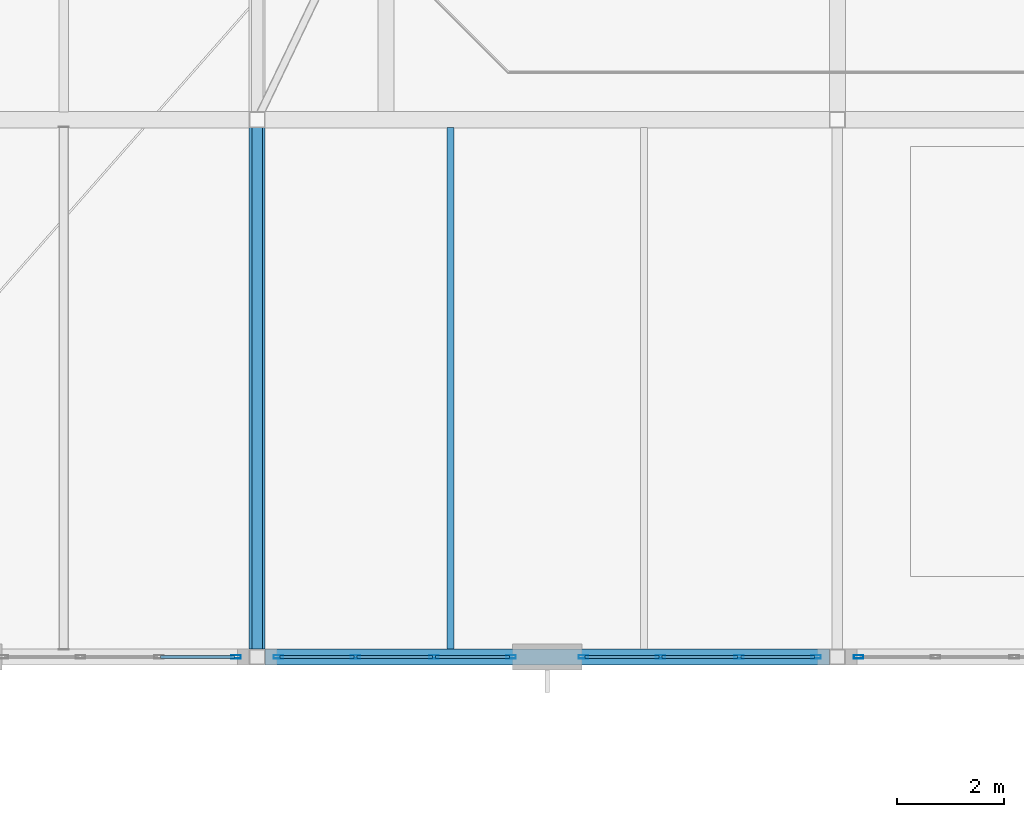
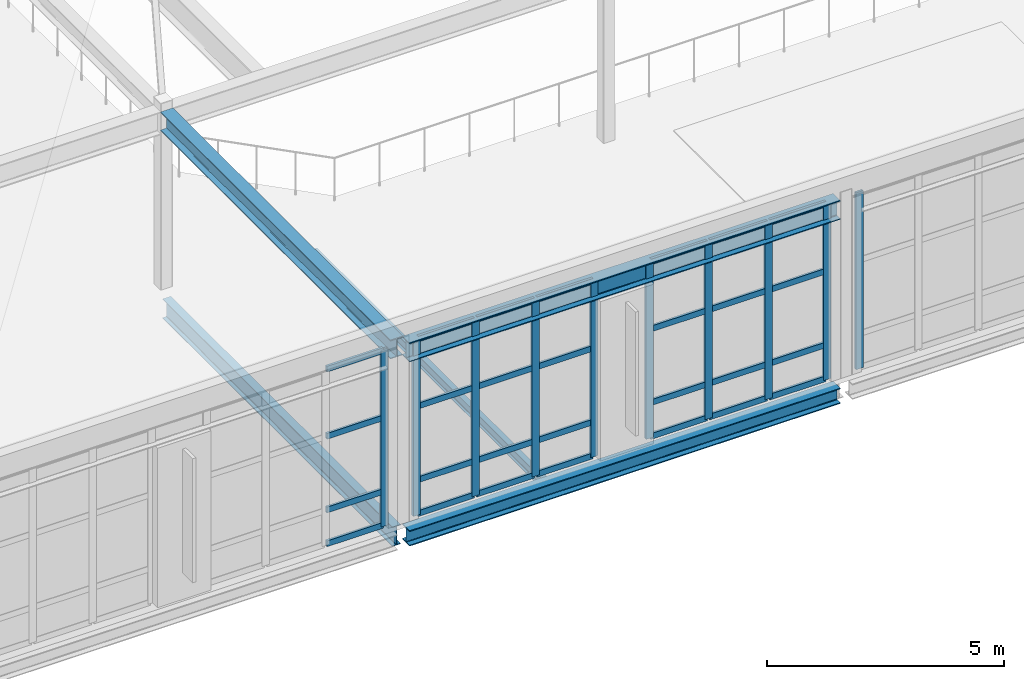
# One storey, part 24 of 86: 38 members, 5 beams, 4 elements without a shape of their own.
"""IFC4 building model written with IfcOpenShell, lengths in metres."""

from ifc_helpers import new_model, si_unit, direction, frame, origin, origin_2d, place, context, subcontext, project, spatial, hollow_rectangle, i_section, extrude, material, layer, layer_set, material_profile, profile_set, type_object, element, aggregate, save


model = new_model("IFC4")

# Units and contexts
model_context = context("Model", 3, precision=1e-05, world=origin(), true_north=direction((0.0, 1.0)))
body_context = subcontext(model_context, "Body", "Model", "MODEL_VIEW")
ifc_project = project(units=[si_unit("LENGTHUNIT", "METRE"), si_unit("AREAUNIT", "SQUARE_METRE"), si_unit("VOLUMEUNIT", "CUBIC_METRE"), si_unit("PLANEANGLEUNIT", "RADIAN"), si_unit("MASSUNIT", "GRAM", prefix="KILO")], contexts=[model_context])

# Site, building, storey
site_placement = place(None, origin())
site = spatial("IfcSite", under=ifc_project, at=site_placement, CompositionType="ELEMENT")
building_placement = place(site_placement, origin())
building = spatial("IfcBuilding", under=site, at=building_placement, Name="Tasgan Crest Museum", CompositionType="ELEMENT")
storey_placement = place(building_placement, frame((0.0, 0.0, 24.0)))
storey = spatial("IfcBuildingStorey", under=building, at=storey_placement, Name="L04", CompositionType="ELEMENT", Elevation=24.0)

# Beams
ifc_material_1 = material(Name="Steel S355J2", Category="steel")
ifc_material_profile_1 = material_profile(ifc_material_1, i_section(OverallWidth=0.300048828125, OverallDepth=0.489990234375, WebThickness=0.011962890625, FlangeThickness=0.02294921875, FilletRadius=0.027099609375, at=origin_2d()), Name="HEA 500")
ifc_profile_set_1 = profile_set([ifc_material_profile_1], Name="Steel S355J2")
beam_type_1 = type_object("IfcBeamType", Name="BM-G-HEA500", PredefinedType="BEAM", material=ifc_profile_set_1)
beam_1_placement = place(storey_placement, frame((64.946044921875, 40.0, 4.35498046875), z_axis=(1.0, 0.0, 0.0), x_axis=(0.0, 1.0, 0.0)))
element("IfcBeam", 1, at=beam_1_placement, inside=storey, type_object=beam_type_1, Name="Winter-garden roof girder E 64.8-75.6", PredefinedType="BEAM", context=body_context, shape_type="SweptSolid", body=[
    extrude(i_section(OverallWidth=0.300048828125, OverallDepth=0.489990234375, WebThickness=0.011962890625, FlangeThickness=0.02294921875, FilletRadius=0.027099609375, at=origin_2d()), origin(), (0.0, 0.0, 1.0), 10.508056640625),
])
beam_2_placement = place(storey_placement, frame((64.800048828125, 40.14599609375, 4.35498046875), z_axis=(0.0, 1.0, 0.0), x_axis=(-1.0, 0.0, 0.0)))
element("IfcBeam", 2, at=beam_2_placement, inside=storey, type_object=beam_type_1, Name="Winter-garden roof beam 7 40-50", PredefinedType="BEAM", context=body_context, shape_type="SweptSolid", body=[
    extrude(i_section(OverallWidth=0.300048828125, OverallDepth=0.489990234375, WebThickness=0.011962890625, FlangeThickness=0.02294921875, FilletRadius=0.027099609375, at=origin_2d()), origin(), (0.0, 0.0, 1.0), 9.7080078125),
])
ifc_material_2 = material(Name="Steel S355J2", Category="steel")
ifc_material_profile_2 = material_profile(ifc_material_2, i_section(OverallWidth=0.300048828125, OverallDepth=0.39990234375, WebThickness=0.013427734375, FlangeThickness=0.02392578125, FilletRadius=0.027099609375, at=origin_2d()), Name="HEB 400")
ifc_profile_set_2 = profile_set([ifc_material_profile_2], Name="Steel S355J2")
beam_type_2 = type_object("IfcBeamType", Name="BM-G-HEB400", PredefinedType="BEAM", material=ifc_profile_set_2)
beam_3_placement = place(storey_placement, frame((64.946044921875, 40.0, -0.43994140625), z_axis=(1.0, 0.0, 0.0), x_axis=(0.0, 1.0, 0.0)))
element("IfcBeam", 3, at=beam_3_placement, inside=storey, type_object=beam_type_2, Name="Girder L04 E 64.8-75.6", PredefinedType="BEAM", context=body_context, shape_type="SweptSolid", body=[
    extrude(i_section(OverallWidth=0.300048828125, OverallDepth=0.39990234375, WebThickness=0.013427734375, FlangeThickness=0.02392578125, FilletRadius=0.027099609375, at=origin_2d()), origin(), (0.0, 0.0, 1.0), 10.508056640625),
])
ifc_material_3 = material(Name="Steel S355J2", Category="steel")
ifc_material_profile_3 = material_profile(ifc_material_3, i_section(OverallWidth=0.199951171875, OverallDepth=0.5, WebThickness=0.01025390625, FlangeThickness=0.01611328125, FilletRadius=0.02099609375, at=origin_2d()), Name="IPE 500")
ifc_profile_set_3 = profile_set([ifc_material_profile_3], Name="Steel S355J2")
beam_type_3 = type_object("IfcBeamType", Name="BM-G-IPE500", PredefinedType="BEAM", material=ifc_profile_set_3)
beam_4_placement = place(storey_placement, frame((64.800048828125, 40.14501953125, -0.489990234375), z_axis=(0.0, 1.0, 0.0), x_axis=(-1.0, 0.0, 0.0)))
element("IfcBeam", 4, at=beam_4_placement, inside=storey, type_object=beam_type_3, Name="Beam L04 7 40.0-50.0", PredefinedType="BEAM", context=body_context, shape_type="SweptSolid", body=[
    extrude(i_section(OverallWidth=0.199951171875, OverallDepth=0.5, WebThickness=0.01025390625, FlangeThickness=0.01611328125, FilletRadius=0.02099609375, at=origin_2d()), origin(), (0.0, 0.0, 1.0), 9.7099609375),
])
ifc_material_4 = material(Name="Steel S355J2", Category="steel")
ifc_material_profile_4 = material_profile(ifc_material_4, i_section(OverallWidth=0.135009765625, OverallDepth=0.27001953125, WebThickness=0.006591796875, FlangeThickness=0.01025390625, FilletRadius=0.014892578125, at=origin_2d()), Name="IPE 270")
ifc_profile_set_4 = profile_set([ifc_material_profile_4], Name="Steel S355J2")
beam_type_4 = type_object("IfcBeamType", Name="BM-J-IPE270", PredefinedType="JOIST", material=ifc_profile_set_4)
beam_5_placement = place(storey_placement, frame((68.39990234375, 40.14501953125, -0.375), z_axis=(0.0, 1.0, 0.0), x_axis=(-1.0, 0.0, 0.0)))
element("IfcBeam", 5, at=beam_5_placement, inside=storey, type_object=beam_type_4, Name="Secondary joist L04 X=68.4 Y=40.0-50.0", PredefinedType="JOIST", context=body_context, shape_type="SweptSolid", body=[
    extrude(i_section(OverallWidth=0.135009765625, OverallDepth=0.27001953125, WebThickness=0.006591796875, FlangeThickness=0.01025390625, FilletRadius=0.014892578125, at=origin_2d()), origin(), (0.0, 0.0, 1.0), 9.7099609375),
])

# Curtain wall, member
ifc_material_5 = material(Name="Triple-Glazed Aluminium Curtain Wall", Category="aluminium")
ifc_layer = layer(ifc_material_5, 0.179931640625, Name="CW-DRUM-X-48")
ifc_layer_set = layer_set([ifc_layer], Name="Triple-Glazed Aluminium Curtain Wall")
curtain_wall_type = type_object("IfcCurtainWallType", Name="CW-DRUM-X-48", PredefinedType="NOTDEFINED", material=ifc_layer_set)
curtain_wall_1_placement = place(storey_placement, origin())
curtain_wall_1 = element("IfcCurtainWall", 6, at=curtain_wall_1_placement, inside=storey, type_object=curtain_wall_type, Name="Curtain wall L04 186", PredefinedType="NOTDEFINED")
ifc_material_6 = material(Name="Anodised Aluminium", Category="aluminium")
ifc_material_profile_5 = material_profile(ifc_material_6, hollow_rectangle(XDim=0.06494140625, YDim=0.179931640625, WallThickness=0.0048828125, at=origin_2d()), Name="ALU MULLION 180x65x5")
ifc_profile_set_5 = profile_set([ifc_material_profile_5], Name="Anodised Aluminium")
member_type_1 = type_object("IfcMemberType", Name="CW-MULLION-180", PredefinedType="MULLION", material=ifc_profile_set_5)
member_1_placement = place(storey_placement, frame((64.405029296875, 40.0, 0.0), z_axis=(0.0, 0.0, 1.0), x_axis=(0.0, 1.0, 0.0)))
member_1 = element("IfcMember", 7, at=member_1_placement, type_object=member_type_1, Name="CW03 mullion 4", PredefinedType="MULLION", context=body_context, shape_type="SweptSolid", body=[
    extrude(hollow_rectangle(XDim=0.06494140625, YDim=0.179931640625, WallThickness=0.0048828125, at=origin_2d()), origin(), (0.0, 0.0, 1.0), 4.56005859375),
])

# Curtain wall, members
curtain_wall_2_placement = place(storey_placement, origin())
curtain_wall_2 = element("IfcCurtainWall", 8, at=curtain_wall_2_placement, inside=storey, type_object=curtain_wall_type, Name="Curtain wall L04 187", PredefinedType="NOTDEFINED")
member_2_placement = place(storey_placement, frame((65.195068359375, 40.0, 0.0), z_axis=(0.0, 0.0, 1.0), x_axis=(0.0, 1.0, 0.0)))
member_2 = element("IfcMember", 9, at=member_2_placement, type_object=member_type_1, Name="CW03 mullion 1", PredefinedType="MULLION", context=body_context, shape_type="SweptSolid", body=[
    extrude(hollow_rectangle(XDim=0.06494140625, YDim=0.179931640625, WallThickness=0.0048828125, at=origin_2d()), origin(), (0.0, 0.0, 1.0), 4.56005859375),
])
member_3_placement = place(storey_placement, frame((66.62841796875, 40.0, 0.0), z_axis=(0.0, 0.0, 1.0), x_axis=(0.0, 1.0, 0.0)))
member_3 = element("IfcMember", 10, at=member_3_placement, type_object=member_type_1, Name="CW03 mullion 2", PredefinedType="MULLION", context=body_context, shape_type="SweptSolid", body=[
    extrude(hollow_rectangle(XDim=0.06494140625, YDim=0.179931640625, WallThickness=0.0048828125, at=origin_2d()), origin(), (0.0, 0.0, 1.0), 4.56005859375),
])
member_4_placement = place(storey_placement, frame((68.091552734375, 40.0, 0.0), z_axis=(0.0, 0.0, 1.0), x_axis=(0.0, 1.0, 0.0)))
member_4 = element("IfcMember", 11, at=member_4_placement, type_object=member_type_1, Name="CW03 mullion 3", PredefinedType="MULLION", context=body_context, shape_type="SweptSolid", body=[
    extrude(hollow_rectangle(XDim=0.06494140625, YDim=0.179931640625, WallThickness=0.0048828125, at=origin_2d()), origin(), (0.0, 0.0, 1.0), 4.56005859375),
])
member_5_placement = place(storey_placement, frame((69.52490234375, 40.0, 0.0), z_axis=(0.0, 0.0, 1.0), x_axis=(0.0, 1.0, 0.0)))
member_5 = element("IfcMember", 12, at=member_5_placement, type_object=member_type_1, Name="CW03 mullion 4", PredefinedType="MULLION", context=body_context, shape_type="SweptSolid", body=[
    extrude(hollow_rectangle(XDim=0.06494140625, YDim=0.179931640625, WallThickness=0.0048828125, at=origin_2d()), origin(), (0.0, 0.0, 1.0), 4.56005859375),
])

curtain_wall_3_placement = place(storey_placement, origin())
curtain_wall_3 = element("IfcCurtainWall", 13, at=curtain_wall_3_placement, inside=storey, type_object=curtain_wall_type, Name="Curtain wall L04 188", PredefinedType="NOTDEFINED")
member_6_placement = place(storey_placement, frame((70.875, 40.0, 0.0), z_axis=(0.0, 0.0, 1.0), x_axis=(0.0, 1.0, 0.0)))
member_6 = element("IfcMember", 14, at=member_6_placement, type_object=member_type_1, Name="CW03 mullion 1", PredefinedType="MULLION", context=body_context, shape_type="SweptSolid", body=[
    extrude(hollow_rectangle(XDim=0.06494140625, YDim=0.179931640625, WallThickness=0.0048828125, at=origin_2d()), origin(), (0.0, 0.0, 1.0), 4.56005859375),
])
member_7_placement = place(storey_placement, frame((72.308349609375, 40.0, 0.0), z_axis=(0.0, 0.0, 1.0), x_axis=(0.0, 1.0, 0.0)))
member_7 = element("IfcMember", 15, at=member_7_placement, type_object=member_type_1, Name="CW03 mullion 2", PredefinedType="MULLION", context=body_context, shape_type="SweptSolid", body=[
    extrude(hollow_rectangle(XDim=0.06494140625, YDim=0.179931640625, WallThickness=0.0048828125, at=origin_2d()), origin(), (0.0, 0.0, 1.0), 4.56005859375),
])
member_8_placement = place(storey_placement, frame((73.771728515625, 40.0, 0.0), z_axis=(0.0, 0.0, 1.0), x_axis=(0.0, 1.0, 0.0)))
member_8 = element("IfcMember", 16, at=member_8_placement, type_object=member_type_1, Name="CW03 mullion 3", PredefinedType="MULLION", context=body_context, shape_type="SweptSolid", body=[
    extrude(hollow_rectangle(XDim=0.06494140625, YDim=0.179931640625, WallThickness=0.0048828125, at=origin_2d()), origin(), (0.0, 0.0, 1.0), 4.56005859375),
])
member_9_placement = place(storey_placement, frame((75.205078125, 40.0, 0.0), z_axis=(0.0, 0.0, 1.0), x_axis=(0.0, 1.0, 0.0)))
member_9 = element("IfcMember", 17, at=member_9_placement, type_object=member_type_1, Name="CW03 mullion 4", PredefinedType="MULLION", context=body_context, shape_type="SweptSolid", body=[
    extrude(hollow_rectangle(XDim=0.06494140625, YDim=0.179931640625, WallThickness=0.0048828125, at=origin_2d()), origin(), (0.0, 0.0, 1.0), 4.56005859375),
])

# Curtain wall, member
curtain_wall_4_placement = place(storey_placement, origin())
curtain_wall_4 = element("IfcCurtainWall", 18, at=curtain_wall_4_placement, inside=storey, type_object=curtain_wall_type, Name="Curtain wall L04 189", PredefinedType="NOTDEFINED")
member_10_placement = place(storey_placement, frame((75.9951171875, 40.0, 0.0), z_axis=(0.0, 0.0, 1.0), x_axis=(0.0, 1.0, 0.0)))
member_10 = element("IfcMember", 19, at=member_10_placement, type_object=member_type_1, Name="CW03 mullion 1", PredefinedType="MULLION", context=body_context, shape_type="SweptSolid", body=[
    extrude(hollow_rectangle(XDim=0.06494140625, YDim=0.179931640625, WallThickness=0.0048828125, at=origin_2d()), origin(), (0.0, 0.0, 1.0), 4.56005859375),
])
aggregate(curtain_wall_4, [member_10])

# Member
ifc_material_7 = material(Name="Anodised Aluminium", Category="aluminium")
ifc_material_profile_6 = material_profile(ifc_material_7, hollow_rectangle(XDim=0.06005859375, YDim=0.14990234375, WallThickness=0.0048828125, at=origin_2d()), Name="ALU TRANSOM 150x60x5")
ifc_profile_set_6 = profile_set([ifc_material_profile_6], Name="Anodised Aluminium")
member_type_2 = type_object("IfcMemberType", Name="CW-TRANSOM-150", PredefinedType="USERDEFINED", material=ifc_profile_set_6)
member_11_placement = place(storey_placement, frame((63.001708984375, 40.0, 0.030029296875), z_axis=(1.0, 0.0, 0.0), x_axis=(0.0, 1.0, 0.0)))
member_11 = element("IfcMember", 20, at=member_11_placement, type_object=member_type_2, Name="CW03 transom 3.1", ObjectType="TRANSOM", PredefinedType="USERDEFINED", context=body_context, shape_type="SweptSolid", body=[
    extrude(hollow_rectangle(XDim=0.06005859375, YDim=0.14990234375, WallThickness=0.0048828125, at=origin_2d()), origin(), (0.0, 0.0, 1.0), 1.373291015625),
])

member_12_placement = place(storey_placement, frame((63.001708984375, 40.0, 0.89990234375), z_axis=(1.0, 0.0, 0.0), x_axis=(0.0, 1.0, 0.0)))
member_12 = element("IfcMember", 21, at=member_12_placement, type_object=member_type_2, Name="CW03 transom 3.2", ObjectType="TRANSOM", PredefinedType="USERDEFINED", context=body_context, shape_type="SweptSolid", body=[
    extrude(hollow_rectangle(XDim=0.06005859375, YDim=0.14990234375, WallThickness=0.0048828125, at=origin_2d()), origin(), (0.0, 0.0, 1.0), 1.373291015625),
])

member_13_placement = place(storey_placement, frame((63.001708984375, 40.0, 2.800048828125), z_axis=(1.0, 0.0, 0.0), x_axis=(0.0, 1.0, 0.0)))
member_13 = element("IfcMember", 22, at=member_13_placement, type_object=member_type_2, Name="CW03 transom 3.3", ObjectType="TRANSOM", PredefinedType="USERDEFINED", context=body_context, shape_type="SweptSolid", body=[
    extrude(hollow_rectangle(XDim=0.06005859375, YDim=0.14990234375, WallThickness=0.0048828125, at=origin_2d()), origin(), (0.0, 0.0, 1.0), 1.373291015625),
])

member_14_placement = place(storey_placement, frame((63.001708984375, 40.0, 4.530029296875), z_axis=(1.0, 0.0, 0.0), x_axis=(0.0, 1.0, 0.0)))
member_14 = element("IfcMember", 23, at=member_14_placement, type_object=member_type_2, Name="CW03 transom 3.4", ObjectType="TRANSOM", PredefinedType="USERDEFINED", context=body_context, shape_type="SweptSolid", body=[
    extrude(hollow_rectangle(XDim=0.06005859375, YDim=0.14990234375, WallThickness=0.0048828125, at=origin_2d()), origin(), (0.0, 0.0, 1.0), 1.373291015625),
])

aggregate(curtain_wall_1, [member_1, member_11, member_12, member_13, member_14])

member_15_placement = place(storey_placement, frame((65.22509765625, 40.0, 0.030029296875), z_axis=(1.0, 0.0, 0.0), x_axis=(0.0, 1.0, 0.0)))
member_15 = element("IfcMember", 24, at=member_15_placement, type_object=member_type_2, Name="CW03 transom 1.1", ObjectType="TRANSOM", PredefinedType="USERDEFINED", context=body_context, shape_type="SweptSolid", body=[
    extrude(hollow_rectangle(XDim=0.06005859375, YDim=0.14990234375, WallThickness=0.0048828125, at=origin_2d()), origin(), (0.0, 0.0, 1.0), 1.373291015625),
])

member_16_placement = place(storey_placement, frame((65.22509765625, 40.0, 0.89990234375), z_axis=(1.0, 0.0, 0.0), x_axis=(0.0, 1.0, 0.0)))
member_16 = element("IfcMember", 25, at=member_16_placement, type_object=member_type_2, Name="CW03 transom 1.2", ObjectType="TRANSOM", PredefinedType="USERDEFINED", context=body_context, shape_type="SweptSolid", body=[
    extrude(hollow_rectangle(XDim=0.06005859375, YDim=0.14990234375, WallThickness=0.0048828125, at=origin_2d()), origin(), (0.0, 0.0, 1.0), 1.373291015625),
])

member_17_placement = place(storey_placement, frame((65.22509765625, 40.0, 2.800048828125), z_axis=(1.0, 0.0, 0.0), x_axis=(0.0, 1.0, 0.0)))
member_17 = element("IfcMember", 26, at=member_17_placement, type_object=member_type_2, Name="CW03 transom 1.3", ObjectType="TRANSOM", PredefinedType="USERDEFINED", context=body_context, shape_type="SweptSolid", body=[
    extrude(hollow_rectangle(XDim=0.06005859375, YDim=0.14990234375, WallThickness=0.0048828125, at=origin_2d()), origin(), (0.0, 0.0, 1.0), 1.373291015625),
])

member_18_placement = place(storey_placement, frame((65.22509765625, 40.0, 4.530029296875), z_axis=(1.0, 0.0, 0.0), x_axis=(0.0, 1.0, 0.0)))
member_18 = element("IfcMember", 27, at=member_18_placement, type_object=member_type_2, Name="CW03 transom 1.4", ObjectType="TRANSOM", PredefinedType="USERDEFINED", context=body_context, shape_type="SweptSolid", body=[
    extrude(hollow_rectangle(XDim=0.06005859375, YDim=0.14990234375, WallThickness=0.0048828125, at=origin_2d()), origin(), (0.0, 0.0, 1.0), 1.373291015625),
])

member_19_placement = place(storey_placement, frame((66.658447265625, 40.0, 0.030029296875), z_axis=(1.0, 0.0, 0.0), x_axis=(0.0, 1.0, 0.0)))
member_19 = element("IfcMember", 28, at=member_19_placement, type_object=member_type_2, Name="CW03 transom 2.1", ObjectType="TRANSOM", PredefinedType="USERDEFINED", context=body_context, shape_type="SweptSolid", body=[
    extrude(hollow_rectangle(XDim=0.06005859375, YDim=0.14990234375, WallThickness=0.0048828125, at=origin_2d()), origin(), (0.0, 0.0, 1.0), 1.4033203125),
])

member_20_placement = place(storey_placement, frame((66.658447265625, 40.0, 0.89990234375), z_axis=(1.0, 0.0, 0.0), x_axis=(0.0, 1.0, 0.0)))
member_20 = element("IfcMember", 29, at=member_20_placement, type_object=member_type_2, Name="CW03 transom 2.2", ObjectType="TRANSOM", PredefinedType="USERDEFINED", context=body_context, shape_type="SweptSolid", body=[
    extrude(hollow_rectangle(XDim=0.06005859375, YDim=0.14990234375, WallThickness=0.0048828125, at=origin_2d()), origin(), (0.0, 0.0, 1.0), 1.4033203125),
])

member_21_placement = place(storey_placement, frame((66.658447265625, 40.0, 2.800048828125), z_axis=(1.0, 0.0, 0.0), x_axis=(0.0, 1.0, 0.0)))
member_21 = element("IfcMember", 30, at=member_21_placement, type_object=member_type_2, Name="CW03 transom 2.3", ObjectType="TRANSOM", PredefinedType="USERDEFINED", context=body_context, shape_type="SweptSolid", body=[
    extrude(hollow_rectangle(XDim=0.06005859375, YDim=0.14990234375, WallThickness=0.0048828125, at=origin_2d()), origin(), (0.0, 0.0, 1.0), 1.4033203125),
])

member_22_placement = place(storey_placement, frame((66.658447265625, 40.0, 4.530029296875), z_axis=(1.0, 0.0, 0.0), x_axis=(0.0, 1.0, 0.0)))
member_22 = element("IfcMember", 31, at=member_22_placement, type_object=member_type_2, Name="CW03 transom 2.4", ObjectType="TRANSOM", PredefinedType="USERDEFINED", context=body_context, shape_type="SweptSolid", body=[
    extrude(hollow_rectangle(XDim=0.06005859375, YDim=0.14990234375, WallThickness=0.0048828125, at=origin_2d()), origin(), (0.0, 0.0, 1.0), 1.4033203125),
])

member_23_placement = place(storey_placement, frame((68.12158203125, 40.0, 0.030029296875), z_axis=(1.0, 0.0, 0.0), x_axis=(0.0, 1.0, 0.0)))
member_23 = element("IfcMember", 32, at=member_23_placement, type_object=member_type_2, Name="CW03 transom 3.1", ObjectType="TRANSOM", PredefinedType="USERDEFINED", context=body_context, shape_type="SweptSolid", body=[
    extrude(hollow_rectangle(XDim=0.06005859375, YDim=0.14990234375, WallThickness=0.0048828125, at=origin_2d()), origin(), (0.0, 0.0, 1.0), 1.37353515625),
])

member_24_placement = place(storey_placement, frame((68.12158203125, 40.0, 0.89990234375), z_axis=(1.0, 0.0, 0.0), x_axis=(0.0, 1.0, 0.0)))
member_24 = element("IfcMember", 33, at=member_24_placement, type_object=member_type_2, Name="CW03 transom 3.2", ObjectType="TRANSOM", PredefinedType="USERDEFINED", context=body_context, shape_type="SweptSolid", body=[
    extrude(hollow_rectangle(XDim=0.06005859375, YDim=0.14990234375, WallThickness=0.0048828125, at=origin_2d()), origin(), (0.0, 0.0, 1.0), 1.37353515625),
])

member_25_placement = place(storey_placement, frame((68.12158203125, 40.0, 2.800048828125), z_axis=(1.0, 0.0, 0.0), x_axis=(0.0, 1.0, 0.0)))
member_25 = element("IfcMember", 34, at=member_25_placement, type_object=member_type_2, Name="CW03 transom 3.3", ObjectType="TRANSOM", PredefinedType="USERDEFINED", context=body_context, shape_type="SweptSolid", body=[
    extrude(hollow_rectangle(XDim=0.06005859375, YDim=0.14990234375, WallThickness=0.0048828125, at=origin_2d()), origin(), (0.0, 0.0, 1.0), 1.37353515625),
])

member_26_placement = place(storey_placement, frame((68.12158203125, 40.0, 4.530029296875), z_axis=(1.0, 0.0, 0.0), x_axis=(0.0, 1.0, 0.0)))
member_26 = element("IfcMember", 35, at=member_26_placement, type_object=member_type_2, Name="CW03 transom 3.4", ObjectType="TRANSOM", PredefinedType="USERDEFINED", context=body_context, shape_type="SweptSolid", body=[
    extrude(hollow_rectangle(XDim=0.06005859375, YDim=0.14990234375, WallThickness=0.0048828125, at=origin_2d()), origin(), (0.0, 0.0, 1.0), 1.37353515625),
])

aggregate(curtain_wall_2, [member_2, member_3, member_4, member_5, member_15, member_16, member_17, member_18, member_19, member_20, member_21, member_22, member_23, member_24, member_25, member_26])

member_27_placement = place(storey_placement, frame((70.905029296875, 40.0, 0.030029296875), z_axis=(1.0, 0.0, 0.0), x_axis=(0.0, 1.0, 0.0)))
member_27 = element("IfcMember", 36, at=member_27_placement, type_object=member_type_2, Name="CW03 transom 1.1", ObjectType="TRANSOM", PredefinedType="USERDEFINED", context=body_context, shape_type="SweptSolid", body=[
    extrude(hollow_rectangle(XDim=0.06005859375, YDim=0.14990234375, WallThickness=0.0048828125, at=origin_2d()), origin(), (0.0, 0.0, 1.0), 1.373291015625),
])

member_28_placement = place(storey_placement, frame((70.905029296875, 40.0, 0.89990234375), z_axis=(1.0, 0.0, 0.0), x_axis=(0.0, 1.0, 0.0)))
member_28 = element("IfcMember", 37, at=member_28_placement, type_object=member_type_2, Name="CW03 transom 1.2", ObjectType="TRANSOM", PredefinedType="USERDEFINED", context=body_context, shape_type="SweptSolid", body=[
    extrude(hollow_rectangle(XDim=0.06005859375, YDim=0.14990234375, WallThickness=0.0048828125, at=origin_2d()), origin(), (0.0, 0.0, 1.0), 1.373291015625),
])

member_29_placement = place(storey_placement, frame((70.905029296875, 40.0, 2.800048828125), z_axis=(1.0, 0.0, 0.0), x_axis=(0.0, 1.0, 0.0)))
member_29 = element("IfcMember", 38, at=member_29_placement, type_object=member_type_2, Name="CW03 transom 1.3", ObjectType="TRANSOM", PredefinedType="USERDEFINED", context=body_context, shape_type="SweptSolid", body=[
    extrude(hollow_rectangle(XDim=0.06005859375, YDim=0.14990234375, WallThickness=0.0048828125, at=origin_2d()), origin(), (0.0, 0.0, 1.0), 1.373291015625),
])

member_30_placement = place(storey_placement, frame((70.905029296875, 40.0, 4.530029296875), z_axis=(1.0, 0.0, 0.0), x_axis=(0.0, 1.0, 0.0)))
member_30 = element("IfcMember", 39, at=member_30_placement, type_object=member_type_2, Name="CW03 transom 1.4", ObjectType="TRANSOM", PredefinedType="USERDEFINED", context=body_context, shape_type="SweptSolid", body=[
    extrude(hollow_rectangle(XDim=0.06005859375, YDim=0.14990234375, WallThickness=0.0048828125, at=origin_2d()), origin(), (0.0, 0.0, 1.0), 1.373291015625),
])

member_31_placement = place(storey_placement, frame((72.33837890625, 40.0, 0.030029296875), z_axis=(1.0, 0.0, 0.0), x_axis=(0.0, 1.0, 0.0)))
member_31 = element("IfcMember", 40, at=member_31_placement, type_object=member_type_2, Name="CW03 transom 2.1", ObjectType="TRANSOM", PredefinedType="USERDEFINED", context=body_context, shape_type="SweptSolid", body=[
    extrude(hollow_rectangle(XDim=0.06005859375, YDim=0.14990234375, WallThickness=0.0048828125, at=origin_2d()), origin(), (0.0, 0.0, 1.0), 1.4033203125),
])

member_32_placement = place(storey_placement, frame((72.33837890625, 40.0, 0.89990234375), z_axis=(1.0, 0.0, 0.0), x_axis=(0.0, 1.0, 0.0)))
member_32 = element("IfcMember", 41, at=member_32_placement, type_object=member_type_2, Name="CW03 transom 2.2", ObjectType="TRANSOM", PredefinedType="USERDEFINED", context=body_context, shape_type="SweptSolid", body=[
    extrude(hollow_rectangle(XDim=0.06005859375, YDim=0.14990234375, WallThickness=0.0048828125, at=origin_2d()), origin(), (0.0, 0.0, 1.0), 1.4033203125),
])

member_33_placement = place(storey_placement, frame((72.33837890625, 40.0, 2.800048828125), z_axis=(1.0, 0.0, 0.0), x_axis=(0.0, 1.0, 0.0)))
member_33 = element("IfcMember", 42, at=member_33_placement, type_object=member_type_2, Name="CW03 transom 2.3", ObjectType="TRANSOM", PredefinedType="USERDEFINED", context=body_context, shape_type="SweptSolid", body=[
    extrude(hollow_rectangle(XDim=0.06005859375, YDim=0.14990234375, WallThickness=0.0048828125, at=origin_2d()), origin(), (0.0, 0.0, 1.0), 1.4033203125),
])

member_34_placement = place(storey_placement, frame((72.33837890625, 40.0, 4.530029296875), z_axis=(1.0, 0.0, 0.0), x_axis=(0.0, 1.0, 0.0)))
member_34 = element("IfcMember", 43, at=member_34_placement, type_object=member_type_2, Name="CW03 transom 2.4", ObjectType="TRANSOM", PredefinedType="USERDEFINED", context=body_context, shape_type="SweptSolid", body=[
    extrude(hollow_rectangle(XDim=0.06005859375, YDim=0.14990234375, WallThickness=0.0048828125, at=origin_2d()), origin(), (0.0, 0.0, 1.0), 1.4033203125),
])

member_35_placement = place(storey_placement, frame((73.8017578125, 40.0, 0.030029296875), z_axis=(1.0, 0.0, 0.0), x_axis=(0.0, 1.0, 0.0)))
member_35 = element("IfcMember", 44, at=member_35_placement, type_object=member_type_2, Name="CW03 transom 3.1", ObjectType="TRANSOM", PredefinedType="USERDEFINED", context=body_context, shape_type="SweptSolid", body=[
    extrude(hollow_rectangle(XDim=0.06005859375, YDim=0.14990234375, WallThickness=0.0048828125, at=origin_2d()), origin(), (0.0, 0.0, 1.0), 1.373291015625),
])

member_36_placement = place(storey_placement, frame((73.8017578125, 40.0, 0.89990234375), z_axis=(1.0, 0.0, 0.0), x_axis=(0.0, 1.0, 0.0)))
member_36 = element("IfcMember", 45, at=member_36_placement, type_object=member_type_2, Name="CW03 transom 3.2", ObjectType="TRANSOM", PredefinedType="USERDEFINED", context=body_context, shape_type="SweptSolid", body=[
    extrude(hollow_rectangle(XDim=0.06005859375, YDim=0.14990234375, WallThickness=0.0048828125, at=origin_2d()), origin(), (0.0, 0.0, 1.0), 1.373291015625),
])

member_37_placement = place(storey_placement, frame((73.8017578125, 40.0, 2.800048828125), z_axis=(1.0, 0.0, 0.0), x_axis=(0.0, 1.0, 0.0)))
member_37 = element("IfcMember", 46, at=member_37_placement, type_object=member_type_2, Name="CW03 transom 3.3", ObjectType="TRANSOM", PredefinedType="USERDEFINED", context=body_context, shape_type="SweptSolid", body=[
    extrude(hollow_rectangle(XDim=0.06005859375, YDim=0.14990234375, WallThickness=0.0048828125, at=origin_2d()), origin(), (0.0, 0.0, 1.0), 1.373291015625),
])

member_38_placement = place(storey_placement, frame((73.8017578125, 40.0, 4.530029296875), z_axis=(1.0, 0.0, 0.0), x_axis=(0.0, 1.0, 0.0)))
member_38 = element("IfcMember", 47, at=member_38_placement, type_object=member_type_2, Name="CW03 transom 3.4", ObjectType="TRANSOM", PredefinedType="USERDEFINED", context=body_context, shape_type="SweptSolid", body=[
    extrude(hollow_rectangle(XDim=0.06005859375, YDim=0.14990234375, WallThickness=0.0048828125, at=origin_2d()), origin(), (0.0, 0.0, 1.0), 1.373291015625),
])

aggregate(curtain_wall_3, [member_6, member_7, member_8, member_9, member_27, member_28, member_29, member_30, member_31, member_32, member_33, member_34, member_35, member_36, member_37, member_38])

save(model, "model.ifc")
